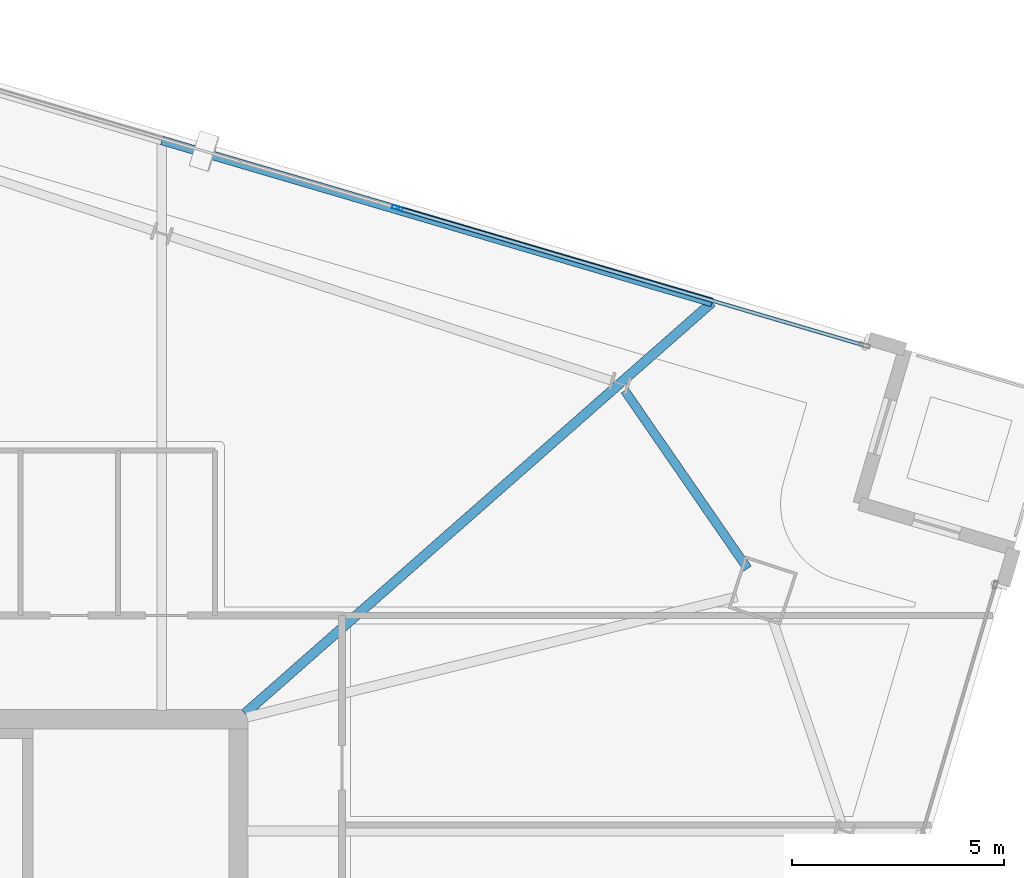
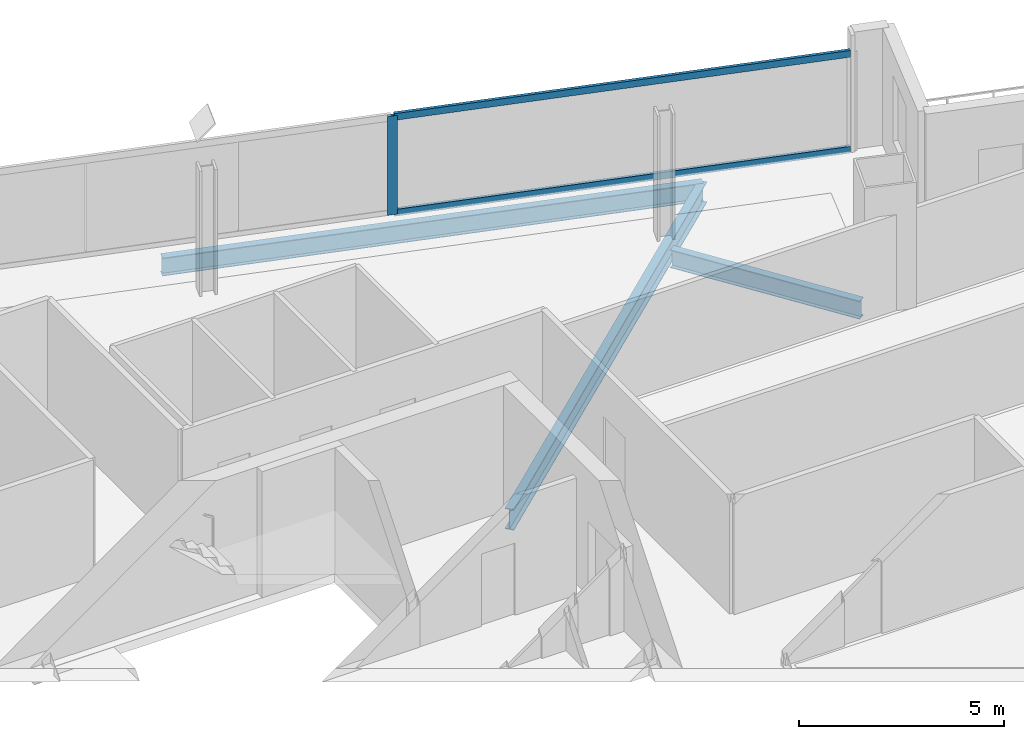
# One storey, part 17 of 26: 3 beams, 3 members, 1 element without a shape of its own.
"""IFC4 building model written with IfcOpenShell, lengths in metres."""

import ifcopenshell
import ifcopenshell.guid

model = None  # the IFC model being written
_history = None  # IfcOwnerHistory: only IFC2X3 demands one
_inside = {}  # id of a spatial element -> (the spatial element, [elements in it])
_under = {}  # id of a project, library or spatial element -> (it, [spatial elements below it])
_declared = {}  # id of a project -> (the project, [libraries it declares])
_typed = {}  # id of a type object -> (the type object, [elements of that type])
_made_of = {}  # id of a material, layer set ... -> (it, [elements and type objects made of it])


def new_model(schema):
    """Start an empty IFC model of exactly this schema.

    Asked for "IFC4X3", IfcOpenShell would pick the latest addendum, in which some entities
    have other attributes; the version numbers below select the first issue.
    IFC2X3 requires an IfcOwnerHistory on every rooted entity: one is made here for all.
    """
    global model, _history
    if schema == "IFC4X3":
        model = ifcopenshell.file(schema_version=(4, 3, 0, 0))
    else:
        model = ifcopenshell.file(schema=schema)
    _inside.clear()
    _under.clear()
    _declared.clear()
    _typed.clear()
    _made_of.clear()
    _history = None
    if model.schema == "IFC2X3":
        org = make("IfcOrganization", Name="unknown")
        user = make(
            "IfcPersonAndOrganization",
            ThePerson=make("IfcPerson", FamilyName="unknown"),
            TheOrganization=org,
        )
        app = make(
            "IfcApplication",
            ApplicationDeveloper=org,
            Version="unknown",
            ApplicationFullName="unknown",
            ApplicationIdentifier="unknown",
        )
        _history = make(
            "IfcOwnerHistory",
            OwningUser=user,
            OwningApplication=app,
            ChangeAction="ADDED",
            CreationDate=0,
        )
    return model


def make(cls, **values):
    """One entity of the class cls with the attributes given. An attribute that is None is left unset."""
    return model.create_entity(
        cls, **{name: value for name, value in values.items() if value is not None}
    )


def rooted(cls, **values):
    """An entity with a GlobalId (a new one), such as an element, a storey or a relation."""
    return make(cls, GlobalId=ifcopenshell.guid.new(), OwnerHistory=_history, **values)


def si_unit(unit_type, name, prefix=None):
    """IfcSIUnit, for example si_unit("LENGTHUNIT", "METRE", prefix="MILLI")."""
    return make("IfcSIUnit", UnitType=unit_type, Prefix=prefix, Name=name)


def assignment(units):
    """IfcUnitAssignment: the units of a project."""
    return None if units is None else make("IfcUnitAssignment", Units=units)


def point(xyz):
    """IfcCartesianPoint."""
    return None if xyz is None else make("IfcCartesianPoint", Coordinates=xyz)


def direction(xyz):
    """IfcDirection."""
    return None if xyz is None else make("IfcDirection", DirectionRatios=xyz)


def frame(location, z_axis=None, x_axis=None):
    """IfcAxis2Placement3D, a coordinate frame: its origin and axes. An axis left out is left unset."""
    return make(
        "IfcAxis2Placement3D",
        Location=point(location),
        Axis=direction(z_axis),
        RefDirection=direction(x_axis),
    )


def frame_2d(location, x_axis=None):
    """IfcAxis2Placement2D, a coordinate frame in the plane: its origin and x axis."""
    return make(
        "IfcAxis2Placement2D", Location=point(location), RefDirection=direction(x_axis)
    )


def origin():
    """The frame at (0, 0, 0) with its axes left unset."""
    return frame((0.0, 0.0, 0.0))


def origin_2d():
    """The frame at (0, 0) in the plane with its x axis left unset."""
    return frame_2d((0.0, 0.0))


def place(relative_to, where):
    """IfcLocalPlacement: puts the frame where relative to a parent placement (None: the world)."""
    return make(
        "IfcLocalPlacement", PlacementRelTo=relative_to, RelativePlacement=where
    )


def context(
    kind, dimensions, precision=None, world=None, true_north=None, identifier=None
):
    """IfcGeometricRepresentationContext, for example the 3D "Model" context."""
    return make(
        "IfcGeometricRepresentationContext",
        ContextIdentifier=identifier,
        ContextType=kind,
        CoordinateSpaceDimension=dimensions,
        Precision=precision,
        WorldCoordinateSystem=world,
        TrueNorth=true_north,
    )


def subcontext(parent, identifier, kind, view, scale=None):
    """IfcGeometricRepresentationSubContext, for example "Body" below "Model"."""
    return make(
        "IfcGeometricRepresentationSubContext",
        ContextIdentifier=identifier,
        ContextType=kind,
        ParentContext=parent,
        TargetScale=scale,
        TargetView=view,
    )


def project(units=None, contexts=None):
    """IfcProject with its units and contexts."""
    return rooted(
        "IfcProject",
        Name="project",
        RepresentationContexts=contexts,
        UnitsInContext=assignment(units),
    )


def spatial(cls, under=None, at=None, **own):
    """A site, building, storey or space (cls), placed at a placement, below another one or the project."""
    s = rooted(cls, ObjectPlacement=at, **own)
    if under is not None:
        _under.setdefault(under.id(), (under, []))[1].append(s)
    return s


def profile(cls, at=None, kind="AREA", **sizes):
    """A parametric profile (cls). Its sizes go by their IFC names, for example OverallWidth=200.0."""
    return make(cls, ProfileType=kind, Position=at, **sizes)


def hollow_rectangle(**sizes):
    """IfcRectangleHollowProfileDef."""
    return profile("IfcRectangleHollowProfileDef", **sizes)


def i_section(**sizes):
    """IfcIShapeProfileDef."""
    return profile("IfcIShapeProfileDef", **sizes)


def extrude(swept, where, along, depth):
    """IfcExtrudedAreaSolid: the profile swept, set in the frame where, extruded along a direction by depth."""
    return make(
        "IfcExtrudedAreaSolid",
        SweptArea=swept,
        Position=where,
        ExtrudedDirection=direction(along),
        Depth=depth,
    )


def shape(context_of_items, identifier, shape_type, items):
    """IfcShapeRepresentation: the items that make up one representation, for example the "Body"."""
    return make(
        "IfcShapeRepresentation",
        ContextOfItems=context_of_items,
        RepresentationIdentifier=identifier,
        RepresentationType=shape_type,
        Items=items,
    )


def material(Name=None, Category=None):
    """IfcMaterial."""
    return make("IfcMaterial", Name=Name, Category=Category)


def material_profile(
    of_material, cross_section, Name=None, Category=None, Priority=None
):
    """IfcMaterialProfile: a cross section and its material."""
    return make(
        "IfcMaterialProfile",
        Name=Name,
        Material=of_material,
        Profile=cross_section,
        Priority=Priority,
        Category=Category,
    )


def profile_set(profiles, Name=None, composite=None):
    """IfcMaterialProfileSet."""
    return make(
        "IfcMaterialProfileSet",
        Name=Name,
        MaterialProfiles=profiles,
        CompositeProfile=composite,
    )


def made_of(thing, what):
    """Note that an element or type object is made of a material, layer set ...; save() writes the relation."""
    if what is not None:
        _made_of.setdefault(what.id(), (what, []))[1].append(thing)
    return thing


def type_object(cls, material=None, **own):
    """A type object (cls), such as IfcWallType, which elements share."""
    return made_of(rooted(cls, **own), material)


def element(
    cls,
    number,
    at=None,
    inside=None,
    cuts=None,
    type_object=None,
    material=None,
    context=None,
    identifier="Body",
    shape_type=None,
    held_by="IfcProductDefinitionShape",
    body=None,
    shapes=None,
    **own,
):
    """One element of the class cls, such as IfcWall. Its Tag is "e" and its number.

    at: its placement. inside: the storey or other place that contains it. cuts: it is an
    opening in that element (IfcRelVoidsElement). A single representation is given by context,
    identifier, shape_type and body (its items); several are given by shapes. held_by: the class
    of the entity that holds the representations. save() writes the other relations.
    """
    e = rooted(cls, Tag="e%d" % number, ObjectPlacement=at, **own)
    if body is not None:
        shapes = [shape(context, identifier, shape_type, body)]
    if shapes is not None:
        e.Representation = make(held_by, Representations=shapes)
    if inside is not None:
        _inside.setdefault(inside.id(), (inside, []))[1].append(e)
    if cuts is not None:
        rooted(
            "IfcRelVoidsElement", RelatingBuildingElement=cuts, RelatedOpeningElement=e
        )
    if type_object is not None:
        _typed.setdefault(type_object.id(), (type_object, []))[1].append(e)
    return made_of(e, material)


def aggregate(whole, parts):
    """IfcRelAggregates: a whole, such as a stair, and the parts it consists of."""
    return rooted("IfcRelAggregates", RelatingObject=whole, RelatedObjects=parts)


def save(model, path):
    """Write the relations noted so far, then the file.

    IfcRelAggregates (storeys below a building ...), IfcRelContainedInSpatialStructure (elements
    in a storey), IfcRelDefinesByType, IfcRelAssociatesMaterial and IfcRelDeclares: one each for
    every whole, place, type object, material and project.
    """
    for whole, parts in _under.values():
        aggregate(whole, parts)
    for where, things in _inside.values():
        rooted(
            "IfcRelContainedInSpatialStructure",
            RelatedElements=things,
            RelatingStructure=where,
        )
    for kind, things in _typed.values():
        rooted("IfcRelDefinesByType", RelatedObjects=things, RelatingType=kind)
    for what, things in _made_of.values():
        rooted("IfcRelAssociatesMaterial", RelatedObjects=things, RelatingMaterial=what)
    for by, libraries in _declared.values():
        rooted("IfcRelDeclares", RelatingContext=by, RelatedDefinitions=libraries)
    model.write(path)


model = new_model("IFC4")

# Units and contexts
model_context = context("Model", 3, precision=1e-05, world=origin(), true_north=direction((0.0, 1.0)))
body_context = subcontext(model_context, "Body", "Model", "MODEL_VIEW")
ifc_project = project(units=[si_unit("LENGTHUNIT", "METRE"), si_unit("AREAUNIT", "SQUARE_METRE"), si_unit("VOLUMEUNIT", "CUBIC_METRE"), si_unit("PLANEANGLEUNIT", "RADIAN"), si_unit("MASSUNIT", "GRAM", prefix="KILO")], contexts=[model_context])

# Site, building, storey
site_placement = place(None, origin())
site = spatial("IfcSite", under=ifc_project, at=site_placement, CompositionType="ELEMENT")
building_placement = place(site_placement, origin())
building = spatial("IfcBuilding", under=site, at=building_placement, Name="Haldenkirk Collegiate Tower", CompositionType="ELEMENT")
storey_placement = place(building_placement, frame((0.0, 0.0, 274.949951171875)))
storey = spatial("IfcBuildingStorey", under=building, at=storey_placement, Name="L69", CompositionType="ELEMENT", Elevation=274.949951171875)

# Beams
ifc_material_1 = material(Name="Steel ASTM A992 Grade 50", Category="steel")
ifc_material_profile_1 = material_profile(ifc_material_1, i_section(OverallWidth=0.22998046875, OverallDepth=0.616943359375, WebThickness=0.01318359375, FlangeThickness=0.022216796875, at=origin_2d()), Name="W24X94")
ifc_profile_set_1 = profile_set([ifc_material_profile_1], Name="Steel ASTM A992 Grade 50")
beam_type_1 = type_object("IfcBeamType", Name="BM-GIRDER-W24X94", PredefinedType="BEAM", material=ifc_profile_set_1)
beam_1_placement = place(storey_placement, frame((56.19677734375, 43.85400390625, -0.578369140625), z_axis=(-0.750690140765, -0.66065445776, 0.0), x_axis=(0.66065445776, -0.750690140765, 0.0)))
element("IfcBeam", 1, at=beam_1_placement, inside=storey, type_object=beam_type_1, Name="L69 primary floor girder 08", PredefinedType="BEAM", context=body_context, shape_type="SweptSolid", body=[
    extrude(i_section(OverallWidth=0.22998046875, OverallDepth=0.616943359375, WebThickness=0.01318359375, FlangeThickness=0.022216796875, at=origin_2d()), origin(), (0.0, 0.0, 1.0), 14.71044921875),
])
ifc_material_profile_2 = material_profile(ifc_material_1, i_section(OverallWidth=0.2099609375, OverallDepth=0.537109375, WebThickness=0.010986328125, FlangeThickness=0.017333984375, at=origin_2d()), Name="W21X68")
ifc_profile_set_2 = profile_set([ifc_material_profile_2], Name="Steel ASTM A992 Grade 50")
beam_type_2 = type_object("IfcBeamType", Name="BM-SPANDREL-W21X68", PredefinedType="SPANDREL", material=ifc_profile_set_2)
beam_2_placement = place(storey_placement, frame((57.037841796875, 37.56201171875, -0.538330078125), z_axis=(-0.568092176681, 0.822964931692, 0.0), x_axis=(-0.822964931692, -0.568092176681, 0.0)))
element("IfcBeam", 2, at=beam_2_placement, inside=storey, type_object=beam_type_2, Name="L69 perimeter spandrel beam 05", PredefinedType="SPANDREL", context=body_context, shape_type="SweptSolid", body=[
    extrude(i_section(OverallWidth=0.2099609375, OverallDepth=0.537109375, WebThickness=0.010986328125, FlangeThickness=0.017333984375, at=origin_2d()), origin(), (0.0, 0.0, 1.0), 5.11328125),
])
beam_3_placement = place(storey_placement, frame((56.19677734375, 43.85400390625, -0.538330078125), z_axis=(-0.959313874558, 0.282341796551, 0.0), x_axis=(-0.282341796551, -0.959313874558, 0.0)))
element("IfcBeam", 3, at=beam_3_placement, inside=storey, type_object=beam_type_2, Name="L69 outer facade edge beam 2A", PredefinedType="SPANDREL", context=body_context, shape_type="SweptSolid", body=[
    extrude(i_section(OverallWidth=0.2099609375, OverallDepth=0.537109375, WebThickness=0.010986328125, FlangeThickness=0.017333984375, at=origin_2d()), origin(), (0.0, 0.0, 1.0), 13.55859375),
])

# Curtain wall, members
ifc_material_2 = material(Name="Anodised architectural bronze aluminium", Category="aluminium")
curtain_wall_type = type_object("IfcCurtainWallType", Name="CW-SYS1B-CONVEX-HI", PredefinedType="USERDEFINED", material=ifc_material_2)
curtain_wall_placement = place(storey_placement, origin())
curtain_wall = element("IfcCurtainWall", 4, at=curtain_wall_placement, inside=storey, type_object=curtain_wall_type, Name="L69 Upper tower high-wind convex bronze unitised curtain wall", ObjectType="UNITISED CURTAIN WALL", PredefinedType="USERDEFINED")
ifc_material_profile_3 = material_profile(ifc_material_2, hollow_rectangle(XDim=0.0849609375, YDim=0.25, WallThickness=0.0048828125, at=origin_2d()), Name="CW-MUL-1B")
ifc_profile_set_3 = profile_set([ifc_material_profile_3], Name="Anodised architectural bronze aluminium")
member_type_1 = type_object("IfcMemberType", Name="CW-MUL-1B", PredefinedType="MULLION", material=ifc_profile_set_3)
member_1_placement = place(storey_placement, frame((48.756591796875, 46.08544921875, 0.0), z_axis=(0.0, 0.0, 1.0), x_axis=(0.282341816085, 0.959313868809, 0.0)))
member_1 = element("IfcMember", 5, at=member_1_placement, type_object=member_type_1, Name="CW-1B mullion 3", PredefinedType="MULLION", context=body_context, shape_type="SweptSolid", body=[
    extrude(hollow_rectangle(XDim=0.0849609375, YDim=0.25, WallThickness=0.0048828125, at=origin_2d()), origin(), (0.0, 0.0, 1.0), 2.93798828125),
])
ifc_material_profile_4 = material_profile(ifc_material_2, hollow_rectangle(XDim=0.0849609375, YDim=0.199951171875, WallThickness=0.0048828125, at=origin_2d()), Name="CW-TRN-1B")
ifc_profile_set_4 = profile_set([ifc_material_profile_4], Name="Anodised architectural bronze aluminium")
member_type_2 = type_object("IfcMemberType", Name="CW-TRN-1B", PredefinedType="USERDEFINED", material=ifc_profile_set_4)
member_2_placement = place(storey_placement, frame((48.79736328125, 46.073486328125, 0.04248046875), z_axis=(0.959311068721, -0.282351329782, 0.0), x_axis=(0.282351329782, 0.959311068721, 0.0)))
member_2 = element("IfcMember", 6, at=member_2_placement, type_object=member_type_2, Name="CW-1B transom 3.1", ObjectType="TRANSOM", PredefinedType="USERDEFINED", context=body_context, shape_type="SweptSolid", body=[
    extrude(hollow_rectangle(XDim=0.0849609375, YDim=0.199951171875, WallThickness=0.0048828125, at=origin_2d()), origin(), (0.0, 0.0, 1.0), 11.430908203125),
])
member_3_placement = place(storey_placement, frame((48.79736328125, 46.073486328125, 2.8955078125), z_axis=(0.959311068721, -0.282351329782, 0.0), x_axis=(0.282351329782, 0.959311068721, 0.0)))
member_3 = element("IfcMember", 7, at=member_3_placement, type_object=member_type_2, Name="CW-1B transom 3.2", ObjectType="TRANSOM", PredefinedType="USERDEFINED", context=body_context, shape_type="SweptSolid", body=[
    extrude(hollow_rectangle(XDim=0.0849609375, YDim=0.199951171875, WallThickness=0.0048828125, at=origin_2d()), origin(), (0.0, 0.0, 1.0), 11.430908203125),
])
aggregate(curtain_wall, [member_1, member_2, member_3])

save(model, "model.ifc")
